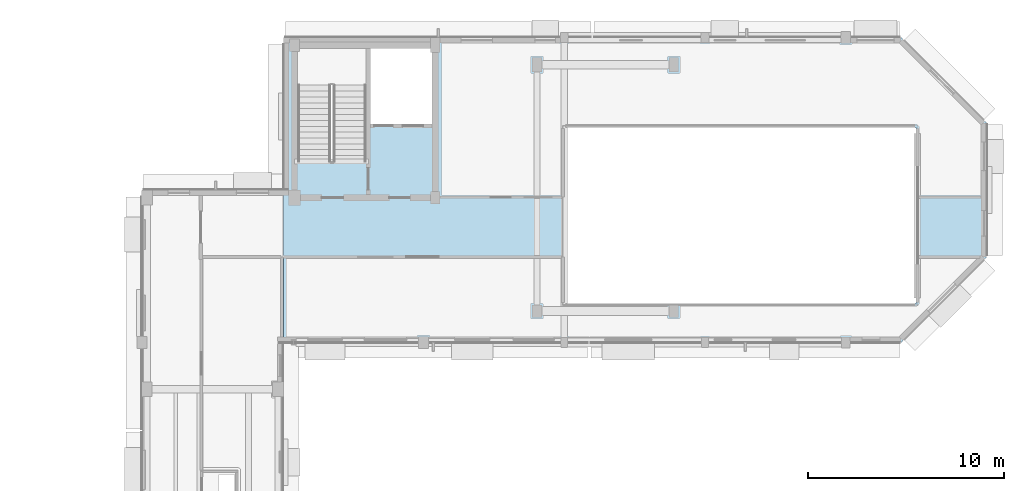
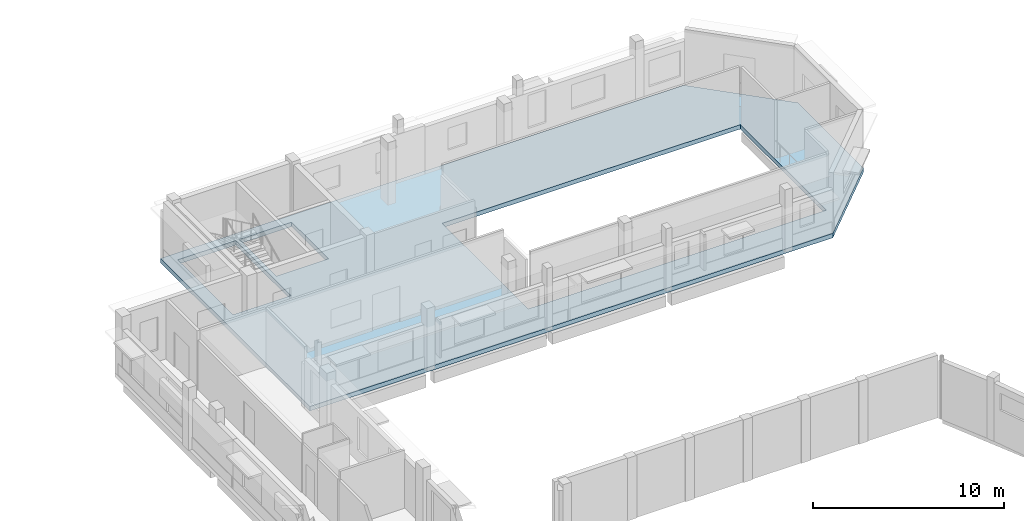
# One storey, part 64 of 89: 1 slab.
"""IFC4 building model written with IfcOpenShell, lengths in metres."""

import ifcopenshell
import ifcopenshell.guid

model = None  # the IFC model being written
_history = None  # IfcOwnerHistory: only IFC2X3 demands one
_inside = {}  # id of a spatial element -> (the spatial element, [elements in it])
_under = {}  # id of a project, library or spatial element -> (it, [spatial elements below it])
_declared = {}  # id of a project -> (the project, [libraries it declares])
_typed = {}  # id of a type object -> (the type object, [elements of that type])
_made_of = {}  # id of a material, layer set ... -> (it, [elements and type objects made of it])


def new_model(schema):
    """Start an empty IFC model of exactly this schema.

    Asked for "IFC4X3", IfcOpenShell would pick the latest addendum, in which some entities
    have other attributes; the version numbers below select the first issue.
    IFC2X3 requires an IfcOwnerHistory on every rooted entity: one is made here for all.
    """
    global model, _history
    if schema == "IFC4X3":
        model = ifcopenshell.file(schema_version=(4, 3, 0, 0))
    else:
        model = ifcopenshell.file(schema=schema)
    _inside.clear()
    _under.clear()
    _declared.clear()
    _typed.clear()
    _made_of.clear()
    _history = None
    if model.schema == "IFC2X3":
        org = make("IfcOrganization", Name="unknown")
        user = make(
            "IfcPersonAndOrganization",
            ThePerson=make("IfcPerson", FamilyName="unknown"),
            TheOrganization=org,
        )
        app = make(
            "IfcApplication",
            ApplicationDeveloper=org,
            Version="unknown",
            ApplicationFullName="unknown",
            ApplicationIdentifier="unknown",
        )
        _history = make(
            "IfcOwnerHistory",
            OwningUser=user,
            OwningApplication=app,
            ChangeAction="ADDED",
            CreationDate=0,
        )
    return model


def make(cls, **values):
    """One entity of the class cls with the attributes given. An attribute that is None is left unset."""
    return model.create_entity(
        cls, **{name: value for name, value in values.items() if value is not None}
    )


def rooted(cls, **values):
    """An entity with a GlobalId (a new one), such as an element, a storey or a relation."""
    return make(cls, GlobalId=ifcopenshell.guid.new(), OwnerHistory=_history, **values)


def si_unit(unit_type, name, prefix=None):
    """IfcSIUnit, for example si_unit("LENGTHUNIT", "METRE", prefix="MILLI")."""
    return make("IfcSIUnit", UnitType=unit_type, Prefix=prefix, Name=name)


def assignment(units):
    """IfcUnitAssignment: the units of a project."""
    return None if units is None else make("IfcUnitAssignment", Units=units)


def point(xyz):
    """IfcCartesianPoint."""
    return None if xyz is None else make("IfcCartesianPoint", Coordinates=xyz)


def direction(xyz):
    """IfcDirection."""
    return None if xyz is None else make("IfcDirection", DirectionRatios=xyz)


def frame(location, z_axis=None, x_axis=None):
    """IfcAxis2Placement3D, a coordinate frame: its origin and axes. An axis left out is left unset."""
    return make(
        "IfcAxis2Placement3D",
        Location=point(location),
        Axis=direction(z_axis),
        RefDirection=direction(x_axis),
    )


def origin():
    """The frame at (0, 0, 0) with its axes left unset."""
    return frame((0.0, 0.0, 0.0))


def place(relative_to, where):
    """IfcLocalPlacement: puts the frame where relative to a parent placement (None: the world)."""
    return make(
        "IfcLocalPlacement", PlacementRelTo=relative_to, RelativePlacement=where
    )


def context(
    kind, dimensions, precision=None, world=None, true_north=None, identifier=None
):
    """IfcGeometricRepresentationContext, for example the 3D "Model" context."""
    return make(
        "IfcGeometricRepresentationContext",
        ContextIdentifier=identifier,
        ContextType=kind,
        CoordinateSpaceDimension=dimensions,
        Precision=precision,
        WorldCoordinateSystem=world,
        TrueNorth=true_north,
    )


def subcontext(parent, identifier, kind, view, scale=None):
    """IfcGeometricRepresentationSubContext, for example "Body" below "Model"."""
    return make(
        "IfcGeometricRepresentationSubContext",
        ContextIdentifier=identifier,
        ContextType=kind,
        ParentContext=parent,
        TargetScale=scale,
        TargetView=view,
    )


def project(units=None, contexts=None):
    """IfcProject with its units and contexts."""
    return rooted(
        "IfcProject",
        Name="project",
        RepresentationContexts=contexts,
        UnitsInContext=assignment(units),
    )


def spatial(cls, under=None, at=None, **own):
    """A site, building, storey or space (cls), placed at a placement, below another one or the project."""
    s = rooted(cls, ObjectPlacement=at, **own)
    if under is not None:
        _under.setdefault(under.id(), (under, []))[1].append(s)
    return s


def polyline(points):
    """IfcPolyline through the points."""
    return make("IfcPolyline", Points=[point(p) for p in points])


def outline(outer, holes=None, kind="AREA"):
    """IfcArbitraryClosedProfileDef: a profile drawn as a closed curve; with holes, ...WithVoids."""
    if holes is None:
        return make("IfcArbitraryClosedProfileDef", ProfileType=kind, OuterCurve=outer)
    return make(
        "IfcArbitraryProfileDefWithVoids",
        ProfileType=kind,
        OuterCurve=outer,
        InnerCurves=holes,
    )


def extrude(swept, where, along, depth):
    """IfcExtrudedAreaSolid: the profile swept, set in the frame where, extruded along a direction by depth."""
    return make(
        "IfcExtrudedAreaSolid",
        SweptArea=swept,
        Position=where,
        ExtrudedDirection=direction(along),
        Depth=depth,
    )


def shape(context_of_items, identifier, shape_type, items):
    """IfcShapeRepresentation: the items that make up one representation, for example the "Body"."""
    return make(
        "IfcShapeRepresentation",
        ContextOfItems=context_of_items,
        RepresentationIdentifier=identifier,
        RepresentationType=shape_type,
        Items=items,
    )


def material(Name=None, Category=None):
    """IfcMaterial."""
    return make("IfcMaterial", Name=Name, Category=Category)


def layer(
    of_material, thickness, ventilated=None, Name=None, Category=None, Priority=None
):
    """IfcMaterialLayer: one layer of a wall or slab, of a material (None: an air gap)."""
    return make(
        "IfcMaterialLayer",
        Material=of_material,
        LayerThickness=thickness,
        IsVentilated=ventilated,
        Name=Name,
        Category=Category,
        Priority=Priority,
    )


def layer_set(layers, Name=None):
    """IfcMaterialLayerSet."""
    return make("IfcMaterialLayerSet", MaterialLayers=layers, LayerSetName=Name)


def made_of(thing, what):
    """Note that an element or type object is made of a material, layer set ...; save() writes the relation."""
    if what is not None:
        _made_of.setdefault(what.id(), (what, []))[1].append(thing)
    return thing


def type_object(cls, material=None, **own):
    """A type object (cls), such as IfcWallType, which elements share."""
    return made_of(rooted(cls, **own), material)


def element(
    cls,
    number,
    at=None,
    inside=None,
    cuts=None,
    type_object=None,
    material=None,
    context=None,
    identifier="Body",
    shape_type=None,
    held_by="IfcProductDefinitionShape",
    body=None,
    shapes=None,
    **own,
):
    """One element of the class cls, such as IfcWall. Its Tag is "e" and its number.

    at: its placement. inside: the storey or other place that contains it. cuts: it is an
    opening in that element (IfcRelVoidsElement). A single representation is given by context,
    identifier, shape_type and body (its items); several are given by shapes. held_by: the class
    of the entity that holds the representations. save() writes the other relations.
    """
    e = rooted(cls, Tag="e%d" % number, ObjectPlacement=at, **own)
    if body is not None:
        shapes = [shape(context, identifier, shape_type, body)]
    if shapes is not None:
        e.Representation = make(held_by, Representations=shapes)
    if inside is not None:
        _inside.setdefault(inside.id(), (inside, []))[1].append(e)
    if cuts is not None:
        rooted(
            "IfcRelVoidsElement", RelatingBuildingElement=cuts, RelatedOpeningElement=e
        )
    if type_object is not None:
        _typed.setdefault(type_object.id(), (type_object, []))[1].append(e)
    return made_of(e, material)


def aggregate(whole, parts):
    """IfcRelAggregates: a whole, such as a stair, and the parts it consists of."""
    return rooted("IfcRelAggregates", RelatingObject=whole, RelatedObjects=parts)


def save(model, path):
    """Write the relations noted so far, then the file.

    IfcRelAggregates (storeys below a building ...), IfcRelContainedInSpatialStructure (elements
    in a storey), IfcRelDefinesByType, IfcRelAssociatesMaterial and IfcRelDeclares: one each for
    every whole, place, type object, material and project.
    """
    for whole, parts in _under.values():
        aggregate(whole, parts)
    for where, things in _inside.values():
        rooted(
            "IfcRelContainedInSpatialStructure",
            RelatedElements=things,
            RelatingStructure=where,
        )
    for kind, things in _typed.values():
        rooted("IfcRelDefinesByType", RelatedObjects=things, RelatingType=kind)
    for what, things in _made_of.values():
        rooted("IfcRelAssociatesMaterial", RelatedObjects=things, RelatingMaterial=what)
    for by, libraries in _declared.values():
        rooted("IfcRelDeclares", RelatingContext=by, RelatedDefinitions=libraries)
    model.write(path)


model = new_model("IFC4")

# Units and contexts
model_context = context("Model", 3, precision=1e-05, world=origin(), true_north=direction((0.0, 1.0)))
body_context = subcontext(model_context, "Body", "Model", "MODEL_VIEW")
ifc_project = project(units=[si_unit("LENGTHUNIT", "METRE"), si_unit("AREAUNIT", "SQUARE_METRE"), si_unit("VOLUMEUNIT", "CUBIC_METRE"), si_unit("PLANEANGLEUNIT", "RADIAN"), si_unit("MASSUNIT", "GRAM", prefix="KILO")], contexts=[model_context])

# Site, building, storey
site_placement = place(None, origin())
site = spatial("IfcSite", under=ifc_project, at=site_placement, CompositionType="ELEMENT")
building_placement = place(site_placement, origin())
building = spatial("IfcBuilding", under=site, at=building_placement, Name="Kelanivale Promenade Academy", CompositionType="ELEMENT")
storey_placement = place(building_placement, frame((0.0, 0.0, 12.199951171875)))
storey = spatial("IfcBuildingStorey", under=building, at=storey_placement, Name="L03", CompositionType="ELEMENT", Elevation=12.199951171875)

# Slab
ifc_material = material(Name="Concrete C35/45", Category="concrete")
ifc_layer = layer(ifc_material, 0.280029296875)
ifc_layer_set = layer_set([ifc_layer], Name="Concrete C35/45")
slab_type = type_object("IfcSlabType", Name="FS-03 Slab 280mm", PredefinedType="FLOOR", material=ifc_layer_set)
slab_placement = place(storey_placement, frame((0.0, 0.0, -0.280029296875)))
element("IfcSlab", 1, at=slab_placement, inside=storey, type_object=slab_type, Name="L03 structural slab SLB-L03-V5M", PredefinedType="FLOOR", context=body_context, shape_type="SweptSolid", body=[
    extrude(outline(polyline([(154.43310546875, 96.39990234375), (158.800048828125, 100.76708984375), (158.800048828125, 107.633056640625), (154.43310546875, 112.0), (122.85009765625, 112.0), (122.85009765625, 96.39990234375), (154.43310546875, 96.39990234375)]), holes=[polyline([(155.199951171875, 107.39990234375), (155.199951171875, 98.39990234375), (137.199951171875, 98.39990234375), (137.199951171875, 107.39990234375), (155.199951171875, 107.39990234375)]), polyline([(130.43505859375, 107.574951171875), (127.284912109375, 107.574951171875), (127.284912109375, 111.43505859375), (130.43505859375, 111.43505859375), (130.43505859375, 107.574951171875)]), polyline([(123.56494140625, 105.655029296875), (123.56494140625, 111.43505859375), (127.06494140625, 111.43505859375), (127.06494140625, 105.655029296875), (123.56494140625, 105.655029296875)])]), origin(), (0.0, 0.0, 1.0), 0.280029296875),
])

save(model, "model.ifc")
